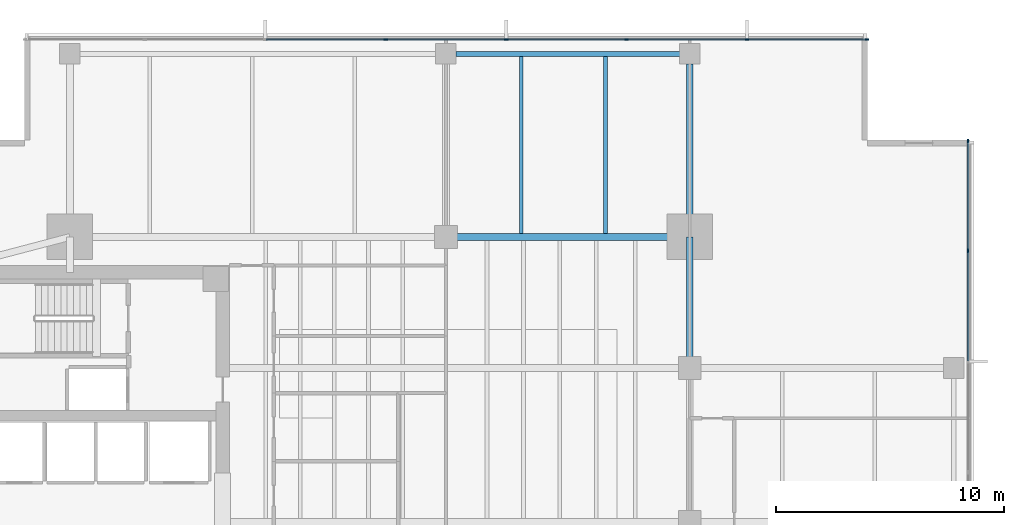
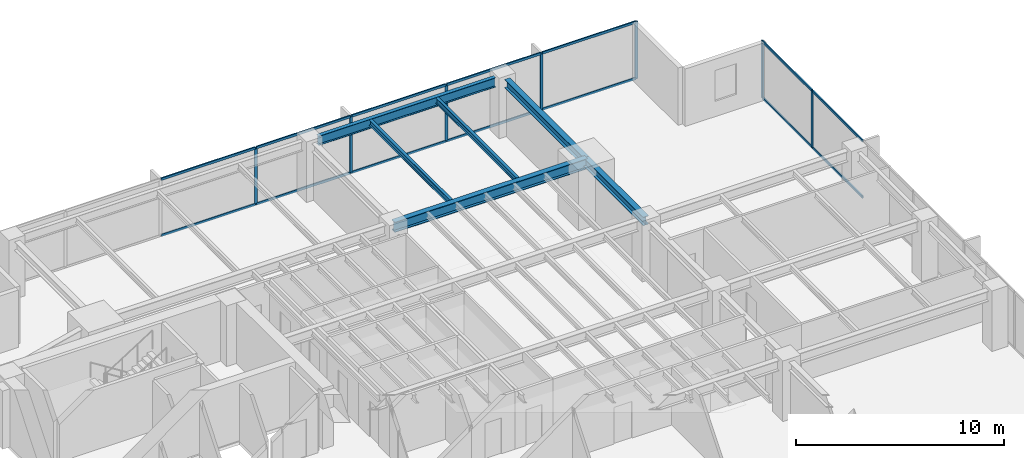
# One storey, part 6 of 15: 21 members, 6 beams, 2 elements without a shape of their own.
"""IFC4 building model written with IfcOpenShell, lengths in metres."""

from ifc_helpers import new_model, si_unit, direction, frame, origin, origin_2d, place, context, subcontext, project, spatial, rectangle, i_section, extrude, material, layer, layer_set, material_profile, profile_set, type_object, element, aggregate, save


model = new_model("IFC4")

# Units and contexts
model_context = context("Model", 3, precision=1e-05, world=origin(), true_north=direction((0.0, 1.0)))
body_context = subcontext(model_context, "Body", "Model", "MODEL_VIEW")
ifc_project = project(units=[si_unit("LENGTHUNIT", "METRE"), si_unit("AREAUNIT", "SQUARE_METRE"), si_unit("VOLUMEUNIT", "CUBIC_METRE"), si_unit("PLANEANGLEUNIT", "RADIAN"), si_unit("MASSUNIT", "GRAM", prefix="KILO")], contexts=[model_context])

# Site, building, storey
site_placement = place(None, origin())
site = spatial("IfcSite", under=ifc_project, at=site_placement, CompositionType="ELEMENT")
building_placement = place(site_placement, origin())
building = spatial("IfcBuilding", under=site, at=building_placement, Name="Kinhvarn Gate Tower", CompositionType="ELEMENT")
storey_placement = place(building_placement, frame((0.0, 0.0, 105.800048828125)))
storey = spatial("IfcBuildingStorey", under=building, at=storey_placement, Name="L27", CompositionType="ELEMENT", Elevation=105.800048828125)

# Curtain wall, members
ifc_material_1 = material(Name="Anodised aluminium AW-6063", Category="aluminium")
ifc_layer = layer(ifc_material_1, 0.179931640625)
ifc_layer_set = layer_set([ifc_layer], Name="Anodised aluminium AW-6063")
curtain_wall_type = type_object("IfcCurtainWallType", Name="CW-SYS-3", PredefinedType="NOTDEFINED", material=ifc_layer_set)
curtain_wall_1_placement = place(storey_placement, origin())
curtain_wall_1 = element("IfcCurtainWall", 1, at=curtain_wall_1_placement, inside=storey, type_object=curtain_wall_type, Name="Curtain Wall CW3 (L27)", PredefinedType="NOTDEFINED")
ifc_material_profile_1 = material_profile(ifc_material_1, rectangle(XDim=0.06494140625, YDim=0.159912109375, at=origin_2d()), Name="ALU 65x160")
ifc_profile_set_1 = profile_set([ifc_material_profile_1], Name="Anodised aluminium AW-6063")
member_type_1 = type_object("IfcMemberType", Name="CW-MUL-160", PredefinedType="MULLION", material=ifc_profile_set_1)
member_1_placement = place(storey_placement, frame((45.967529296875, 46.409912109375, 0.0), z_axis=(0.0, 0.0, 1.0), x_axis=(0.0, -1.0, 0.0)))
member_1 = element("IfcMember", 2, at=member_1_placement, type_object=member_type_1, Name="CW3 mullion 1", PredefinedType="MULLION", context=body_context, shape_type="SweptSolid", body=[
    extrude(rectangle(XDim=0.06494140625, YDim=0.159912109375, at=origin_2d()), origin(), (0.0, 0.0, 1.0), 3.369873046875),
])
member_2_placement = place(storey_placement, frame((40.71435546875, 46.409912109375, 0.0), z_axis=(0.0, 0.0, 1.0), x_axis=(0.0, -1.0, 0.0)))
member_2 = element("IfcMember", 3, at=member_2_placement, type_object=member_type_1, Name="CW3 mullion 2", PredefinedType="MULLION", context=body_context, shape_type="SweptSolid", body=[
    extrude(rectangle(XDim=0.06494140625, YDim=0.159912109375, at=origin_2d()), origin(), (0.0, 0.0, 1.0), 3.369873046875),
])
member_3_placement = place(storey_placement, frame((35.428466796875, 46.409912109375, 0.0), z_axis=(0.0, 0.0, 1.0), x_axis=(0.0, -1.0, 0.0)))
member_3 = element("IfcMember", 4, at=member_3_placement, type_object=member_type_1, Name="CW3 mullion 3", PredefinedType="MULLION", context=body_context, shape_type="SweptSolid", body=[
    extrude(rectangle(XDim=0.06494140625, YDim=0.159912109375, at=origin_2d()), origin(), (0.0, 0.0, 1.0), 3.369873046875),
])
member_4_placement = place(storey_placement, frame((30.142822265625, 46.409912109375, 0.0), z_axis=(0.0, 0.0, 1.0), x_axis=(0.0, -1.0, 0.0)))
member_4 = element("IfcMember", 5, at=member_4_placement, type_object=member_type_1, Name="CW3 mullion 4", PredefinedType="MULLION", context=body_context, shape_type="SweptSolid", body=[
    extrude(rectangle(XDim=0.06494140625, YDim=0.159912109375, at=origin_2d()), origin(), (0.0, 0.0, 1.0), 3.369873046875),
])
member_5_placement = place(storey_placement, frame((24.857177734375, 46.409912109375, 0.0), z_axis=(0.0, 0.0, 1.0), x_axis=(0.0, -1.0, 0.0)))
member_5 = element("IfcMember", 6, at=member_5_placement, type_object=member_type_1, Name="CW3 mullion 5", PredefinedType="MULLION", context=body_context, shape_type="SweptSolid", body=[
    extrude(rectangle(XDim=0.06494140625, YDim=0.159912109375, at=origin_2d()), origin(), (0.0, 0.0, 1.0), 3.369873046875),
])

curtain_wall_2_placement = place(storey_placement, origin())
curtain_wall_2 = element("IfcCurtainWall", 7, at=curtain_wall_2_placement, inside=storey, type_object=curtain_wall_type, Name="Curtain Wall CW3 (L27)", PredefinedType="NOTDEFINED")
member_6_placement = place(storey_placement, frame((50.409912109375, 37.142822265625, 0.0), z_axis=(0.0, 0.0, 1.0), x_axis=(-1.0, 0.0, 0.0)))
member_6 = element("IfcMember", 8, at=member_6_placement, type_object=member_type_1, Name="CW3 mullion 7", PredefinedType="MULLION", context=body_context, shape_type="SweptSolid", body=[
    extrude(rectangle(XDim=0.06494140625, YDim=0.159912109375, at=origin_2d()), origin(), (0.0, 0.0, 1.0), 3.369873046875),
])
member_7_placement = place(storey_placement, frame((50.409912109375, 41.967529296875, 0.0), z_axis=(0.0, 0.0, 1.0), x_axis=(-1.0, 0.0, 0.0)))
member_7 = element("IfcMember", 9, at=member_7_placement, type_object=member_type_1, Name="CW3 mullion 8", PredefinedType="MULLION", context=body_context, shape_type="SweptSolid", body=[
    extrude(rectangle(XDim=0.06494140625, YDim=0.159912109375, at=origin_2d()), origin(), (0.0, 0.0, 1.0), 3.369873046875),
])

# Member
ifc_material_profile_2 = material_profile(ifc_material_1, rectangle(XDim=0.070068359375, YDim=0.139892578125, at=origin_2d()), Name="ALU 70x140")
ifc_profile_set_2 = profile_set([ifc_material_profile_2], Name="Anodised aluminium AW-6063")
member_type_2 = type_object("IfcMemberType", Name="CW-TRN-140", PredefinedType="USERDEFINED", material=ifc_profile_set_2)
member_8_placement = place(storey_placement, frame((45.93505859375, 46.409912109375, 0.034912109375), z_axis=(-1.0, 0.0, 0.0), x_axis=(0.0, -1.0, 0.0)))
member_8 = element("IfcMember", 10, at=member_8_placement, type_object=member_type_2, Name="CW3 transom 1.1", ObjectType="TRANSOM", PredefinedType="USERDEFINED", context=body_context, shape_type="SweptSolid", body=[
    extrude(rectangle(XDim=0.070068359375, YDim=0.139892578125, at=origin_2d()), origin(), (0.0, 0.0, 1.0), 5.188232421875),
])

member_9_placement = place(storey_placement, frame((45.93505859375, 46.409912109375, 3.3349609375), z_axis=(-1.0, 0.0, 0.0), x_axis=(0.0, -1.0, 0.0)))
member_9 = element("IfcMember", 11, at=member_9_placement, type_object=member_type_2, Name="CW3 transom 1.2", ObjectType="TRANSOM", PredefinedType="USERDEFINED", context=body_context, shape_type="SweptSolid", body=[
    extrude(rectangle(XDim=0.070068359375, YDim=0.139892578125, at=origin_2d()), origin(), (0.0, 0.0, 1.0), 5.188232421875),
])

member_10_placement = place(storey_placement, frame((40.681884765625, 46.409912109375, 0.034912109375), z_axis=(-1.0, 0.0, 0.0), x_axis=(0.0, -1.0, 0.0)))
member_10 = element("IfcMember", 12, at=member_10_placement, type_object=member_type_2, Name="CW3 transom 2.1", ObjectType="TRANSOM", PredefinedType="USERDEFINED", context=body_context, shape_type="SweptSolid", body=[
    extrude(rectangle(XDim=0.070068359375, YDim=0.139892578125, at=origin_2d()), origin(), (0.0, 0.0, 1.0), 5.220703125),
])

member_11_placement = place(storey_placement, frame((40.681884765625, 46.409912109375, 3.3349609375), z_axis=(-1.0, 0.0, 0.0), x_axis=(0.0, -1.0, 0.0)))
member_11 = element("IfcMember", 13, at=member_11_placement, type_object=member_type_2, Name="CW3 transom 2.2", ObjectType="TRANSOM", PredefinedType="USERDEFINED", context=body_context, shape_type="SweptSolid", body=[
    extrude(rectangle(XDim=0.070068359375, YDim=0.139892578125, at=origin_2d()), origin(), (0.0, 0.0, 1.0), 5.220703125),
])

member_12_placement = place(storey_placement, frame((35.39599609375, 46.409912109375, 0.034912109375), z_axis=(-1.0, 0.0, 0.0), x_axis=(0.0, -1.0, 0.0)))
member_12 = element("IfcMember", 14, at=member_12_placement, type_object=member_type_2, Name="CW3 transom 3.1", ObjectType="TRANSOM", PredefinedType="USERDEFINED", context=body_context, shape_type="SweptSolid", body=[
    extrude(rectangle(XDim=0.070068359375, YDim=0.139892578125, at=origin_2d()), origin(), (0.0, 0.0, 1.0), 5.220703125),
])

member_13_placement = place(storey_placement, frame((35.39599609375, 46.409912109375, 3.3349609375), z_axis=(-1.0, 0.0, 0.0), x_axis=(0.0, -1.0, 0.0)))
member_13 = element("IfcMember", 15, at=member_13_placement, type_object=member_type_2, Name="CW3 transom 3.2", ObjectType="TRANSOM", PredefinedType="USERDEFINED", context=body_context, shape_type="SweptSolid", body=[
    extrude(rectangle(XDim=0.070068359375, YDim=0.139892578125, at=origin_2d()), origin(), (0.0, 0.0, 1.0), 5.220703125),
])

member_14_placement = place(storey_placement, frame((30.1103515625, 46.409912109375, 0.034912109375), z_axis=(-1.0, 0.0, 0.0), x_axis=(0.0, -1.0, 0.0)))
member_14 = element("IfcMember", 16, at=member_14_placement, type_object=member_type_2, Name="CW3 transom 4.1", ObjectType="TRANSOM", PredefinedType="USERDEFINED", context=body_context, shape_type="SweptSolid", body=[
    extrude(rectangle(XDim=0.070068359375, YDim=0.139892578125, at=origin_2d()), origin(), (0.0, 0.0, 1.0), 5.220703125),
])

member_15_placement = place(storey_placement, frame((30.1103515625, 46.409912109375, 3.3349609375), z_axis=(-1.0, 0.0, 0.0), x_axis=(0.0, -1.0, 0.0)))
member_15 = element("IfcMember", 17, at=member_15_placement, type_object=member_type_2, Name="CW3 transom 4.2", ObjectType="TRANSOM", PredefinedType="USERDEFINED", context=body_context, shape_type="SweptSolid", body=[
    extrude(rectangle(XDim=0.070068359375, YDim=0.139892578125, at=origin_2d()), origin(), (0.0, 0.0, 1.0), 5.220703125),
])

member_16_placement = place(storey_placement, frame((24.82470703125, 46.409912109375, 0.034912109375), z_axis=(-1.0, 0.0, 0.0), x_axis=(0.0, -1.0, 0.0)))
member_16 = element("IfcMember", 18, at=member_16_placement, type_object=member_type_2, Name="CW3 transom 5.1", ObjectType="TRANSOM", PredefinedType="USERDEFINED", context=body_context, shape_type="SweptSolid", body=[
    extrude(rectangle(XDim=0.070068359375, YDim=0.139892578125, at=origin_2d()), origin(), (0.0, 0.0, 1.0), 5.220703125),
])

member_17_placement = place(storey_placement, frame((24.82470703125, 46.409912109375, 3.3349609375), z_axis=(-1.0, 0.0, 0.0), x_axis=(0.0, -1.0, 0.0)))
member_17 = element("IfcMember", 19, at=member_17_placement, type_object=member_type_2, Name="CW3 transom 5.2", ObjectType="TRANSOM", PredefinedType="USERDEFINED", context=body_context, shape_type="SweptSolid", body=[
    extrude(rectangle(XDim=0.070068359375, YDim=0.139892578125, at=origin_2d()), origin(), (0.0, 0.0, 1.0), 5.220703125),
])

aggregate(curtain_wall_1, [member_1, member_2, member_3, member_4, member_5, member_8, member_9, member_10, member_11, member_12, member_13, member_14, member_15, member_16, member_17])

member_18_placement = place(storey_placement, frame((50.409912109375, 32.318115234375, 0.034912109375), z_axis=(0.0, 1.0, 0.0), x_axis=(-1.0, 0.0, 0.0)))
member_18 = element("IfcMember", 20, at=member_18_placement, type_object=member_type_2, Name="CW3 transom 6.1", ObjectType="TRANSOM", PredefinedType="USERDEFINED", context=body_context, shape_type="SweptSolid", body=[
    extrude(rectangle(XDim=0.070068359375, YDim=0.139892578125, at=origin_2d()), origin(), (0.0, 0.0, 1.0), 4.792236328125),
])

member_19_placement = place(storey_placement, frame((50.409912109375, 32.318115234375, 3.3349609375), z_axis=(0.0, 1.0, 0.0), x_axis=(-1.0, 0.0, 0.0)))
member_19 = element("IfcMember", 21, at=member_19_placement, type_object=member_type_2, Name="CW3 transom 6.2", ObjectType="TRANSOM", PredefinedType="USERDEFINED", context=body_context, shape_type="SweptSolid", body=[
    extrude(rectangle(XDim=0.070068359375, YDim=0.139892578125, at=origin_2d()), origin(), (0.0, 0.0, 1.0), 4.792236328125),
])

member_20_placement = place(storey_placement, frame((50.409912109375, 37.17529296875, 0.034912109375), z_axis=(0.0, 1.0, 0.0), x_axis=(-1.0, 0.0, 0.0)))
member_20 = element("IfcMember", 22, at=member_20_placement, type_object=member_type_2, Name="CW3 transom 7.1", ObjectType="TRANSOM", PredefinedType="USERDEFINED", context=body_context, shape_type="SweptSolid", body=[
    extrude(rectangle(XDim=0.070068359375, YDim=0.139892578125, at=origin_2d()), origin(), (0.0, 0.0, 1.0), 4.759765625),
])

member_21_placement = place(storey_placement, frame((50.409912109375, 37.17529296875, 3.3349609375), z_axis=(0.0, 1.0, 0.0), x_axis=(-1.0, 0.0, 0.0)))
member_21 = element("IfcMember", 23, at=member_21_placement, type_object=member_type_2, Name="CW3 transom 7.2", ObjectType="TRANSOM", PredefinedType="USERDEFINED", context=body_context, shape_type="SweptSolid", body=[
    extrude(rectangle(XDim=0.070068359375, YDim=0.139892578125, at=origin_2d()), origin(), (0.0, 0.0, 1.0), 4.759765625),
])

aggregate(curtain_wall_2, [member_6, member_7, member_18, member_19, member_20, member_21])

# Beams
ifc_material_2 = material(Name="Steel S355", Category="steel")
ifc_material_profile_3 = material_profile(ifc_material_2, i_section(OverallWidth=0.300048828125, OverallDepth=0.5, WebThickness=0.014404296875, FlangeThickness=0.028076171875, at=origin_2d()), Name="HEB 500")
ifc_profile_set_3 = profile_set([ifc_material_profile_3], Name="Steel S355")
beam_type_1 = type_object("IfcBeamType", Name="STL-HEB500", PredefinedType="BEAM", material=ifc_profile_set_3)
beam_1_placement = place(storey_placement, frame((38.199951171875, 37.75, 3.119873046875), z_axis=(0.0, 1.0, 0.0), x_axis=(-1.0, 0.0, 0.0)))
element("IfcBeam", 24, at=beam_1_placement, inside=storey, type_object=beam_type_1, Name="Floor Beam PG-14 (L27 MCE-N)", PredefinedType="BEAM", context=body_context, shape_type="SweptSolid", body=[
    extrude(i_section(OverallWidth=0.300048828125, OverallDepth=0.5, WebThickness=0.014404296875, FlangeThickness=0.028076171875, at=origin_2d()), origin(), (0.0, 0.0, 1.0), 7.594970703125),
])
beam_2_placement = place(storey_placement, frame((38.199951171875, 32.0, 3.119873046875), z_axis=(0.0, 1.0, 0.0), x_axis=(-1.0, 0.0, 0.0)))
element("IfcBeam", 25, at=beam_2_placement, inside=storey, type_object=beam_type_1, Name="Floor Beam PG-14 (L27 MG-E-32)", PredefinedType="BEAM", context=body_context, shape_type="SweptSolid", body=[
    extrude(i_section(OverallWidth=0.300048828125, OverallDepth=0.5, WebThickness=0.014404296875, FlangeThickness=0.028076171875, at=origin_2d()), origin(), (0.0, 0.0, 1.0), 5.75),
])
ifc_material_profile_4 = material_profile(ifc_material_2, i_section(OverallWidth=0.300048828125, OverallDepth=0.60009765625, WebThickness=0.015380859375, FlangeThickness=0.030029296875, at=origin_2d()), Name="HEB 600")
ifc_profile_set_4 = profile_set([ifc_material_profile_4], Name="Steel S355")
beam_type_2 = type_object("IfcBeamType", Name="STL-HEB600", PredefinedType="BEAM", material=ifc_profile_set_4)
beam_3_placement = place(storey_placement, frame((27.5, 37.75, 3.070068359375), z_axis=(1.0, 0.0, 0.0), x_axis=(0.0, 1.0, 0.0)))
element("IfcBeam", 26, at=beam_3_placement, inside=storey, type_object=beam_type_2, Name="Floor Beam PG-16 (L27 MG-N2)", PredefinedType="BEAM", context=body_context, shape_type="SweptSolid", body=[
    extrude(i_section(OverallWidth=0.300048828125, OverallDepth=0.60009765625, WebThickness=0.015380859375, FlangeThickness=0.030029296875, at=origin_2d()), origin(), (0.0, 0.0, 1.0), 10.699951171875),
])
ifc_material_profile_5 = material_profile(ifc_material_2, i_section(OverallWidth=0.159912109375, OverallDepth=0.330078125, WebThickness=0.007568359375, FlangeThickness=0.011474609375, at=origin_2d()), Name="IPE 330")
ifc_profile_set_5 = profile_set([ifc_material_profile_5], Name="Steel S355")
beam_type_3 = type_object("IfcBeamType", Name="STL-IPE330", PredefinedType="JOIST", material=ifc_profile_set_5)
for number, where, z_axis, x_axis, name in (
    (27, (30.800048828125, 37.89990234375, 3.204833984375), (0.0, 1.0, 0.0), (-1.0, 0.0, 0.0), "Floor Joist SB-03 (L27 JN-X308)"),
    (28, (34.5, 37.89990234375, 3.204833984375), (0.0, 1.0, 0.0), (-1.0, 0.0, 0.0), "Floor Joist SB-03 (L27 JN-X345)"),
):
    element("IfcBeam", number, at=place(storey_placement, frame(where, z_axis=z_axis, x_axis=x_axis)), inside=storey, type_object=beam_type_3, Name=name, PredefinedType="JOIST", context=body_context, shape_type="SweptSolid", body=[
        extrude(i_section(OverallWidth=0.159912109375, OverallDepth=0.330078125, WebThickness=0.007568359375, FlangeThickness=0.011474609375, at=origin_2d()), origin(), (0.0, 0.0, 1.0), 7.775146484375),
    ])
ifc_material_profile_6 = material_profile(ifc_material_2, i_section(OverallWidth=0.2099609375, OverallDepth=0.550048828125, WebThickness=0.010986328125, FlangeThickness=0.01708984375, at=origin_2d()), Name="IPE 550")
ifc_profile_set_6 = profile_set([ifc_material_profile_6], Name="Steel S355")
beam_type_4 = type_object("IfcBeamType", Name="STL-IPE550", PredefinedType="SPANDREL", material=ifc_profile_set_6)
beam_4_placement = place(storey_placement, frame((27.93505859375, 45.780029296875, 3.094970703125), z_axis=(1.0, 0.0, 0.0), x_axis=(0.0, 1.0, 0.0)))
element("IfcBeam", 29, at=beam_4_placement, inside=storey, type_object=beam_type_4, Name="Floor Spandrel SB-08 (L27 SP-N2)", PredefinedType="SPANDREL", context=body_context, shape_type="SweptSolid", body=[
    extrude(i_section(OverallWidth=0.2099609375, OverallDepth=0.550048828125, WebThickness=0.010986328125, FlangeThickness=0.01708984375, at=origin_2d()), origin(), (0.0, 0.0, 1.0), 9.829833984375),
])

save(model, "model.ifc")
